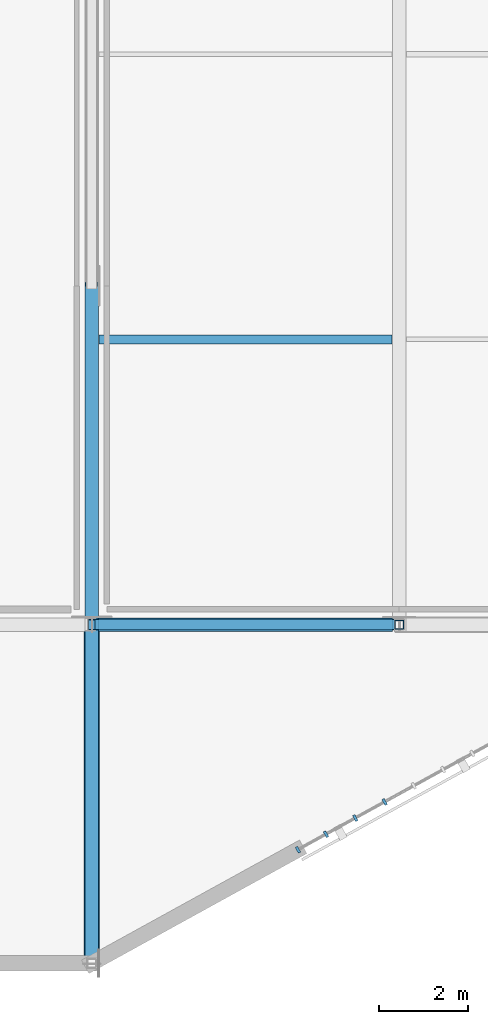
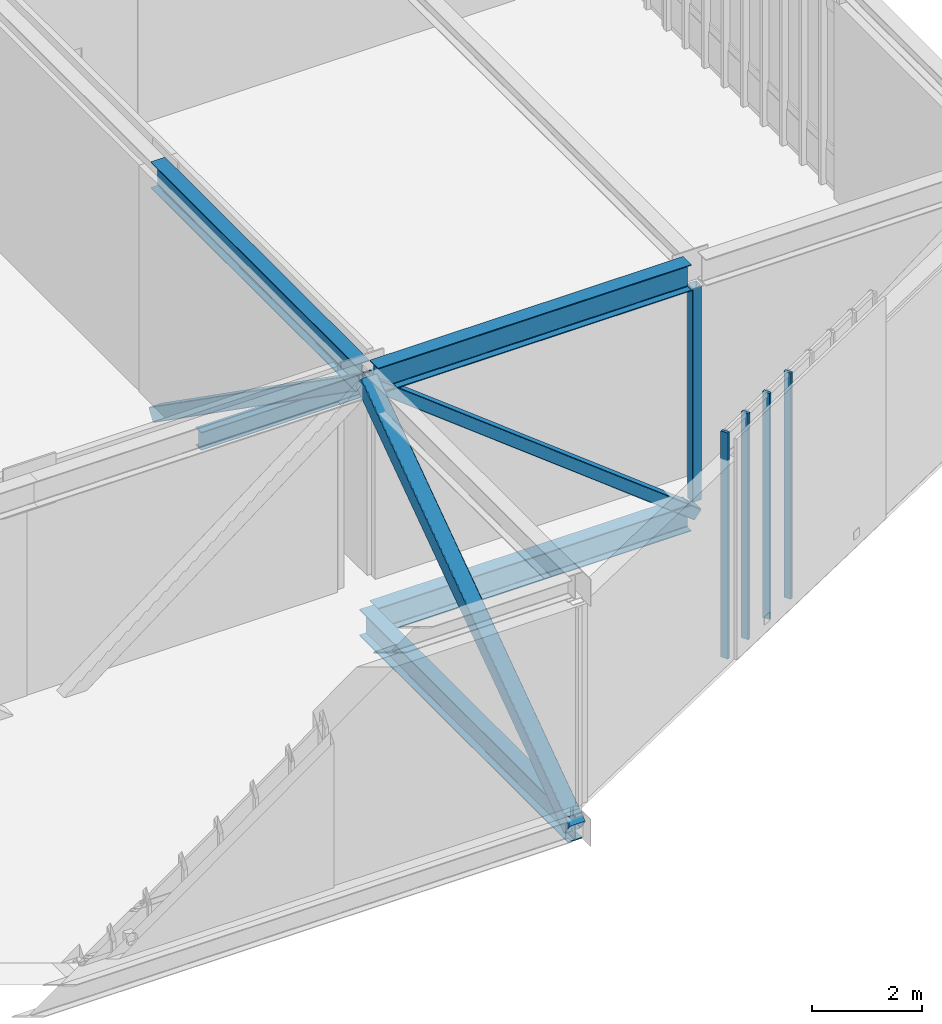
# One storey, part 34 of 135: 8 members, 5 beams, 1 element without a shape of its own.
"""IFC4 building model written with IfcOpenShell, lengths in metres."""

from ifc_helpers import new_model, si_unit, direction, frame, origin, origin_2d, place, context, subcontext, project, spatial, rectangle, hollow_rectangle, i_section, extrude, material, material_profile, profile_set, type_object, element, aggregate, save


model = new_model("IFC4")

# Units and contexts
model_context = context("Model", 3, precision=1e-05, world=origin(), true_north=direction((0.0, 1.0)))
body_context = subcontext(model_context, "Body", "Model", "MODEL_VIEW")
ifc_project = project(units=[si_unit("LENGTHUNIT", "METRE"), si_unit("AREAUNIT", "SQUARE_METRE"), si_unit("VOLUMEUNIT", "CUBIC_METRE"), si_unit("PLANEANGLEUNIT", "RADIAN"), si_unit("MASSUNIT", "GRAM", prefix="KILO")], contexts=[model_context])

# Site, building, storey
site_placement = place(None, origin())
site = spatial("IfcSite", under=ifc_project, at=site_placement, CompositionType="ELEMENT")
building_placement = place(site_placement, origin())
building = spatial("IfcBuilding", under=site, at=building_placement, Name="Larkvane Passage Sports Hall", CompositionType="ELEMENT")
storey_placement = place(building_placement, frame((0.0, 0.0, 16.800048828125)))
storey = spatial("IfcBuildingStorey", under=building, at=storey_placement, Name="L03", CompositionType="ELEMENT", Elevation=16.800048828125)

# Beams
ifc_material_1 = material(Name="Steel S460N", Category="steel")
ifc_material_profile_1 = material_profile(ifc_material_1, i_section(OverallWidth=0.300048828125, OverallDepth=0.587890625, WebThickness=0.011962890625, FlangeThickness=0.02001953125, FilletRadius=0.02197265625, at=origin_2d()), Name="H-588x300x12x20")
ifc_profile_set_1 = profile_set([ifc_material_profile_1], Name="Steel S460N")
beam_type_1 = type_object("IfcBeamType", Name="BM-STL-H588", PredefinedType="BEAM", material=ifc_profile_set_1)
for number, where, z_axis, x_axis, name in (
    (1, (152.7548828125, 7.60009765625, -0.614013671875), (1.0, 0.0, 0.0), (0.0, 1.0, 0.0), "Cantilever truss CT-E3A-1 bottom chord 4"),
    (2, (152.7548828125, 7.60009765625, 4.725830078125), (1.0, 0.0, 0.0), (0.0, 1.0, 0.0), "Cantilever truss CT-E3A-1 top chord 4"),
):
    element("IfcBeam", number, at=place(storey_placement, frame(where, z_axis=z_axis, x_axis=x_axis)), inside=storey, type_object=beam_type_1, Name=name, PredefinedType="BEAM", context=body_context, shape_type="SweptSolid", body=[
        extrude(i_section(OverallWidth=0.300048828125, OverallDepth=0.587890625, WebThickness=0.011962890625, FlangeThickness=0.02001953125, FilletRadius=0.02197265625, at=origin_2d()), origin(), (0.0, 0.0, 1.0), 6.590087890625),
    ])
beam_1_placement = place(storey_placement, frame((152.60009765625, 0.0, -0.614013671875), z_axis=(0.0, 1.0, 0.0), x_axis=(-1.0, 0.0, 0.0)))
element("IfcBeam", 3, at=beam_1_placement, inside=storey, type_object=beam_type_1, Name="Cantilever truss CT-S3A-2 bottom chord 1", PredefinedType="BEAM", context=body_context, shape_type="SweptSolid", body=[
    extrude(i_section(OverallWidth=0.300048828125, OverallDepth=0.587890625, WebThickness=0.011962890625, FlangeThickness=0.02001953125, FilletRadius=0.02197265625, at=origin_2d()), origin(), (0.0, 0.0, 1.0), 7.60009765625),
])
beam_2_placement = place(storey_placement, frame((152.60009765625, 7.7548828125, 4.725830078125), z_axis=(0.0, 1.0, 0.0), x_axis=(-1.0, 0.0, 0.0)))
element("IfcBeam", 4, at=beam_2_placement, inside=storey, type_object=beam_type_1, Name="Cantilever truss CT-S3A-2 top chord 2", PredefinedType="BEAM", context=body_context, shape_type="SweptSolid", body=[
    extrude(i_section(OverallWidth=0.300048828125, OverallDepth=0.587890625, WebThickness=0.011962890625, FlangeThickness=0.02001953125, FilletRadius=0.02197265625, at=origin_2d()), origin(), (0.0, 0.0, 1.0), 7.445068359375),
])

# Curtain wall, members
ifc_material_2 = material(Name="Thermally broken aluminium and low-E glazing", Category="aluminium")
curtain_wall_type = type_object("IfcCurtainWallType", Name="CW-UNIT-COURT", PredefinedType="USERDEFINED", material=ifc_material_2)
curtain_wall_placement = place(storey_placement, origin())
curtain_wall = element("IfcCurtainWall", 5, at=curtain_wall_placement, inside=storey, type_object=curtain_wall_type, Name="Curtain wall CW5-L03-116", ObjectType="UNITISED CURTAIN WALL", PredefinedType="USERDEFINED")
ifc_material_3 = material(Name="Anodised aluminium 6063-T6", Category="aluminium")
ifc_material_profile_2 = material_profile(ifc_material_3, rectangle(XDim=0.06005859375, YDim=0.14990234375, at=origin_2d()), Name="ALU-MUL-60x150")
ifc_profile_set_2 = profile_set([ifc_material_profile_2], Name="Anodised aluminium 6063-T6")
member_type_1 = type_object("IfcMemberType", Name="CW-MUL-60x150", PredefinedType="MULLION", material=ifc_profile_set_2)
member_1_placement = place(storey_placement, frame((159.17138671875, 3.619140625, 0.0), z_axis=(0.0, 0.0, 1.0), x_axis=(-0.875942378343, -0.482415743754, 0.0)))
member_1 = element("IfcMember", 6, at=member_1_placement, type_object=member_type_1, Name="CW-01 mullion 5", PredefinedType="MULLION", context=body_context, shape_type="SweptSolid", body=[
    extrude(rectangle(XDim=0.06005859375, YDim=0.14990234375, at=origin_2d()), origin(), (0.0, 0.0, 1.0), 5.030029296875),
])
member_2_placement = place(storey_placement, frame((158.514404296875, 3.257080078125, 0.0), z_axis=(0.0, 0.0, 1.0), x_axis=(-0.875942378343, -0.482415743754, 0.0)))
member_2 = element("IfcMember", 7, at=member_2_placement, type_object=member_type_1, Name="CW-01 mullion 6", PredefinedType="MULLION", context=body_context, shape_type="SweptSolid", body=[
    extrude(rectangle(XDim=0.06005859375, YDim=0.14990234375, at=origin_2d()), origin(), (0.0, 0.0, 1.0), 5.030029296875),
])
member_3_placement = place(storey_placement, frame((157.857177734375, 2.895263671875, 0.0), z_axis=(0.0, 0.0, 1.0), x_axis=(-0.875942378343, -0.482415743754, 0.0)))
member_3 = element("IfcMember", 8, at=member_3_placement, type_object=member_type_1, Name="CW-01 mullion 7", PredefinedType="MULLION", context=body_context, shape_type="SweptSolid", body=[
    extrude(rectangle(XDim=0.06005859375, YDim=0.14990234375, at=origin_2d()), origin(), (0.0, 0.0, 1.0), 5.030029296875),
])
member_4_placement = place(storey_placement, frame((157.226318359375, 2.5478515625, 0.0), z_axis=(0.0, 0.0, 1.0), x_axis=(-0.875942378343, -0.482415743754, 0.0)))
member_4 = element("IfcMember", 9, at=member_4_placement, type_object=member_type_1, Name="CW-01 mullion 8", PredefinedType="MULLION", context=body_context, shape_type="SweptSolid", body=[
    extrude(rectangle(XDim=0.06005859375, YDim=0.14990234375, at=origin_2d()), origin(), (0.0, 0.0, 1.0), 5.030029296875),
])
aggregate(curtain_wall, [member_1, member_2, member_3, member_4])

# Beam
ifc_material_4 = material(Name="Steel S355JR", Category="steel")
ifc_material_profile_3 = material_profile(ifc_material_4, i_section(OverallWidth=0.199951171875, OverallDepth=0.39990234375, WebThickness=0.008056640625, FlangeThickness=0.012939453125, FilletRadius=0.012939453125, at=origin_2d()), Name="H-400x200x8x13")
ifc_profile_set_3 = profile_set([ifc_material_profile_3], Name="Steel S355JR")
beam_type_2 = type_object("IfcBeamType", Name="JST-STL-H400", PredefinedType="JOIST", material=ifc_profile_set_3)
beam_3_placement = place(storey_placement, frame((152.760009765625, 14.0, -0.52001953125), z_axis=(1.0, 0.0, 0.0), x_axis=(0.0, 1.0, 0.0)))
element("IfcBeam", 10, at=beam_3_placement, inside=storey, type_object=beam_type_2, Name="Cantilever floor joist CT-E3A--4-1", PredefinedType="JOIST", context=body_context, shape_type="SweptSolid", body=[
    extrude(i_section(OverallWidth=0.199951171875, OverallDepth=0.39990234375, WebThickness=0.008056640625, FlangeThickness=0.012939453125, FilletRadius=0.012939453125, at=origin_2d()), origin(), (0.0, 0.0, 1.0), 6.580078125),
])

# Members
ifc_material_profile_4 = material_profile(ifc_material_1, hollow_rectangle(XDim=0.25, YDim=0.25, WallThickness=0.011962890625, InnerFilletRadius=0.011962890625, OuterFilletRadius=0.02392578125, at=origin_2d()), Name="SHS-250x250x12")
ifc_profile_set_4 = profile_set([ifc_material_profile_4], Name="Steel S460N")
member_type_2 = type_object("IfcMemberType", Name="MBR-BR-SHS250", PredefinedType="BRACE", material=ifc_profile_set_4)
member_5_placement = place(storey_placement, frame((152.60009765625, 7.60009765625, 4.725830078125), z_axis=(0.790835550761, 0.0, -0.612028701658), x_axis=(0.0, 1.0, 0.0)))
element("IfcMember", 11, at=member_5_placement, inside=storey, type_object=member_type_2, Name="Cantilever truss CT-E3A-1 web diagonal 4", PredefinedType="BRACE", context=body_context, shape_type="SweptSolid", body=[
    extrude(hollow_rectangle(XDim=0.25, YDim=0.25, WallThickness=0.011962890625, InnerFilletRadius=0.011962890625, OuterFilletRadius=0.02392578125, at=origin_2d()), origin(), (0.0, 0.0, 1.0), 8.724853515625),
])
ifc_material_profile_5 = material_profile(ifc_material_1, hollow_rectangle(XDim=0.300048828125, YDim=0.300048828125, WallThickness=0.011962890625, InnerFilletRadius=0.011962890625, OuterFilletRadius=0.02392578125, at=origin_2d()), Name="SHS-300x300x12")
ifc_profile_set_5 = profile_set([ifc_material_profile_5], Name="Steel S460N")
member_type_3 = type_object("IfcMemberType", Name="MBR-BR-SHS300", PredefinedType="BRACE", material=ifc_profile_set_5)
member_6_placement = place(storey_placement, frame((152.60009765625, 7.60009765625, 4.725830078125), z_axis=(0.0, 0.818221772318, -0.574902714644), x_axis=(-1.0, 0.0, 0.0)))
element("IfcMember", 12, at=member_6_placement, inside=storey, type_object=member_type_3, Name="Cantilever truss CT-S3A-2 web diagonal 2", PredefinedType="BRACE", context=body_context, shape_type="SweptSolid", body=[
    extrude(hollow_rectangle(XDim=0.300048828125, YDim=0.300048828125, WallThickness=0.011962890625, InnerFilletRadius=0.011962890625, OuterFilletRadius=0.02392578125, at=origin_2d()), origin(), (0.0, 0.0, 1.0), 9.288330078125),
])
ifc_material_profile_6 = material_profile(ifc_material_1, hollow_rectangle(XDim=0.35009765625, YDim=0.35009765625, WallThickness=0.01611328125, InnerFilletRadius=0.01611328125, OuterFilletRadius=0.031982421875, at=origin_2d()), Name="SHS-350x350x16")
ifc_profile_set_6 = profile_set([ifc_material_profile_6], Name="Steel S460N")
member_type_4 = type_object("IfcMemberType", Name="MBR-BR-SHS350", PredefinedType="BRACE", material=ifc_profile_set_6)
member_7_placement = place(storey_placement, frame((152.60009765625, 0.0, -0.614013671875), z_axis=(0.0, 0.818230459533, 0.574890350495), x_axis=(-1.0, 0.0, 0.0)))
element("IfcMember", 13, at=member_7_placement, inside=storey, type_object=member_type_4, Name="Cantilever truss CT-S3A-2 web diagonal 1", PredefinedType="BRACE", context=body_context, shape_type="SweptSolid", body=[
    extrude(hollow_rectangle(XDim=0.35009765625, YDim=0.35009765625, WallThickness=0.01611328125, InnerFilletRadius=0.01611328125, OuterFilletRadius=0.031982421875, at=origin_2d()), origin(), (0.0, 0.0, 1.0), 9.28857421875),
])
ifc_material_profile_7 = material_profile(ifc_material_1, hollow_rectangle(XDim=0.199951171875, YDim=0.199951171875, WallThickness=0.009033203125, InnerFilletRadius=0.009033203125, OuterFilletRadius=0.01806640625, at=origin_2d()), Name="SHS-200x200x9")
ifc_profile_set_7 = profile_set([ifc_material_profile_7], Name="Steel S460N")
member_type_5 = type_object("IfcMemberType", Name="MBR-ST-SHS200", PredefinedType="STRUT", material=ifc_profile_set_7)
member_8_placement = place(storey_placement, frame((159.5, 7.60009765625, -0.320068359375), z_axis=(0.0, 0.0, 1.0), x_axis=(1.0, 0.0, 0.0)))
element("IfcMember", 14, at=member_8_placement, inside=storey, type_object=member_type_5, Name="Cantilever truss CT-E3A-1 vertical post 5", PredefinedType="STRUT", context=body_context, shape_type="SweptSolid", body=[
    extrude(hollow_rectangle(XDim=0.199951171875, YDim=0.199951171875, WallThickness=0.009033203125, InnerFilletRadius=0.009033203125, OuterFilletRadius=0.01806640625, at=origin_2d()), origin(), (0.0, 0.0, 1.0), 4.751953125),
])

save(model, "model.ifc")
